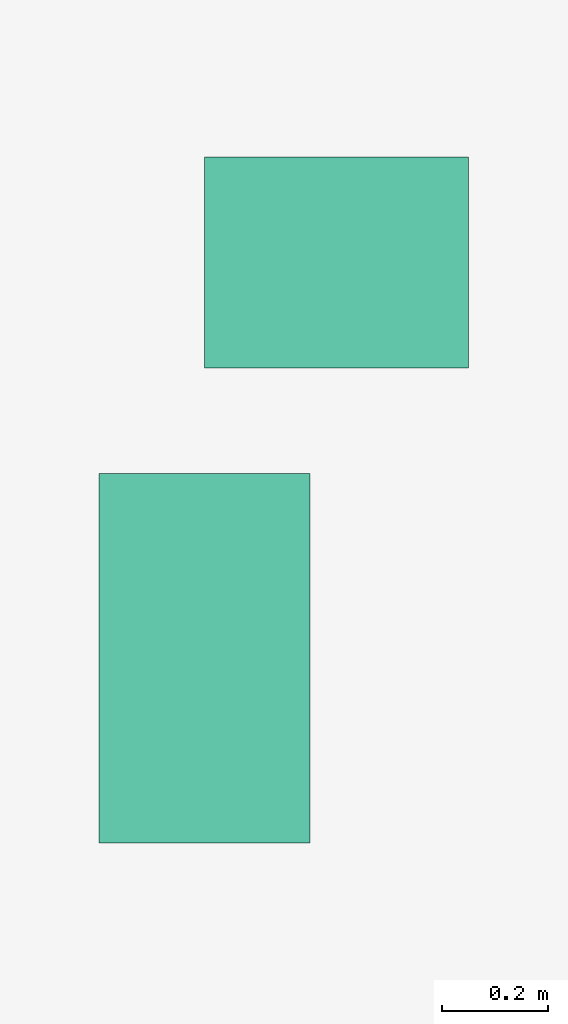
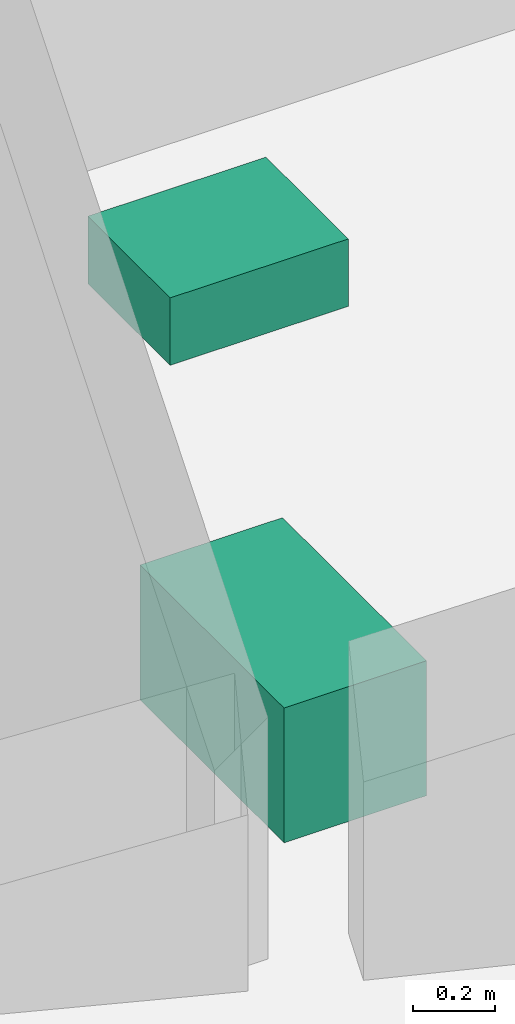
# One storey, part 15 of 15: 2 sanitary terminals.
"""IFC4 building model written with IfcOpenShell, lengths in metres."""

from ifc_helpers import new_model, si_unit, direction, frame, origin, origin_2d, place, context, subcontext, project, spatial, rectangle, extrude, material, type_object, element, save


model = new_model("IFC4")

# Units and contexts
model_context = context("Model", 3, precision=1e-05, world=origin(), true_north=direction((0.0, 1.0)))
body_context = subcontext(model_context, "Body", "Model", "MODEL_VIEW")
ifc_project = project(units=[si_unit("LENGTHUNIT", "METRE"), si_unit("AREAUNIT", "SQUARE_METRE"), si_unit("VOLUMEUNIT", "CUBIC_METRE"), si_unit("PLANEANGLEUNIT", "RADIAN"), si_unit("MASSUNIT", "GRAM", prefix="KILO")], contexts=[model_context])

# Site, building, storey
site_placement = place(None, origin())
site = spatial("IfcSite", under=ifc_project, at=site_placement, CompositionType="ELEMENT")
building_placement = place(site_placement, origin())
building = spatial("IfcBuilding", under=site, at=building_placement, Name="Ostrand Prow Hotel Tower", CompositionType="ELEMENT")
storey_placement = place(building_placement, frame((0.0, 0.0, 216.199951171875)))
storey = spatial("IfcBuildingStorey", under=building, at=storey_placement, Name="L54", CompositionType="ELEMENT", Elevation=216.199951171875)

# Sanitary terminals
ifc_material_1 = material(Name="Vitreous china")
sanitary_terminal_type_1 = type_object("IfcSanitaryTerminalType", Name="WC pan 360x700", PredefinedType="TOILETPAN", material=ifc_material_1)
sanitary_terminal_1_placement = place(storey_placement, frame((35.801513671875, -5.2998046875, 0.0), z_axis=(0.0, 0.0, 1.0), x_axis=(1.0, 0.0, 0.0)))
element("IfcSanitaryTerminal", 1, at=sanitary_terminal_1_placement, inside=storey, type_object=sanitary_terminal_type_1, Name="PAN", PredefinedType="TOILETPAN", context=body_context, shape_type="SweptSolid", body=[
    extrude(rectangle(XDim=0.39990234375, YDim=0.699951171875, at=origin_2d()), origin(), (0.0, 0.0, 1.0), 0.39990234375),
])
ifc_material_2 = material(Name="Vitreous china")
sanitary_terminal_type_2 = type_object("IfcSanitaryTerminalType", Name="Wash hand basin 500x400", PredefinedType="WASHHANDBASIN", material=ifc_material_2)
sanitary_terminal_2_placement = place(storey_placement, frame((36.051513671875, -4.5498046875, 0.80029296875), z_axis=(0.0, 0.0, 1.0), x_axis=(1.0, 0.0, 0.0)))
element("IfcSanitaryTerminal", 2, at=sanitary_terminal_2_placement, inside=storey, type_object=sanitary_terminal_type_2, Name="WASH HAND BASIN", PredefinedType="WASHHANDBASIN", context=body_context, shape_type="SweptSolid", body=[
    extrude(rectangle(XDim=0.5, YDim=0.39990234375, at=origin_2d()), origin(), (0.0, 0.0, 1.0), 0.199951171875),
])

save(model, "model.ifc")
